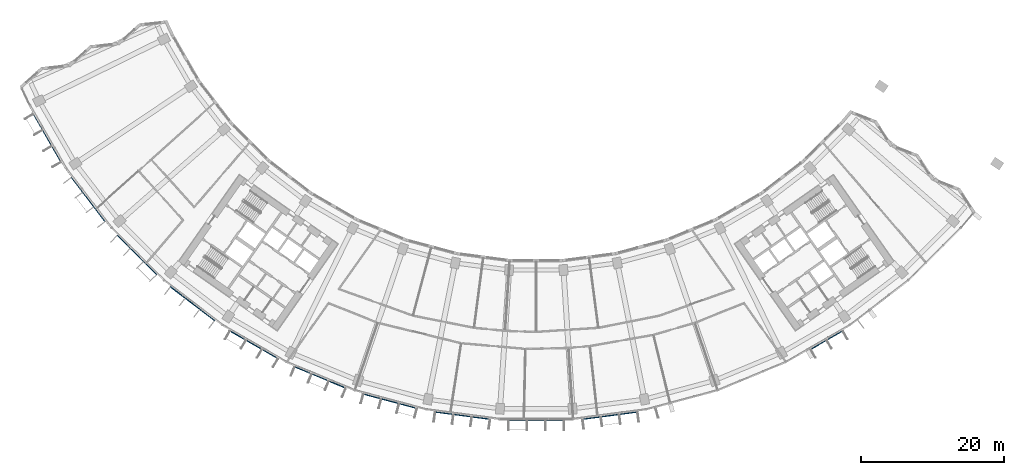
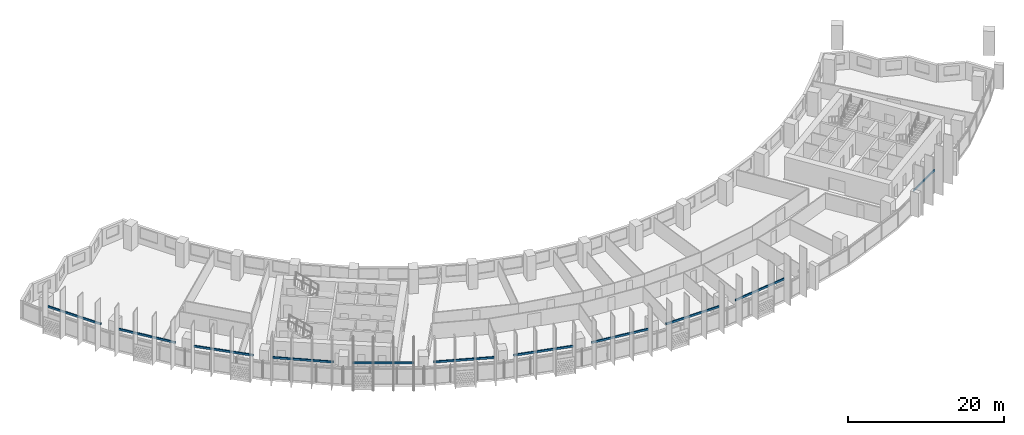
# One storey, part 9 of 30: 11 discrete accessories.
"""IFC4 building model written with IfcOpenShell, lengths in metres."""

from ifc_helpers import new_model, si_unit, direction, frame, origin, origin_2d, place, context, subcontext, project, spatial, rectangle, extrude, material, type_object, element, save


model = new_model("IFC4")

# Units and contexts
model_context = context("Model", 3, precision=1e-05, world=origin(), true_north=direction((0.0, 1.0)))
body_context = subcontext(model_context, "Body", "Model", "MODEL_VIEW")
ifc_project = project(units=[si_unit("LENGTHUNIT", "METRE"), si_unit("AREAUNIT", "SQUARE_METRE"), si_unit("VOLUMEUNIT", "CUBIC_METRE"), si_unit("PLANEANGLEUNIT", "RADIAN"), si_unit("MASSUNIT", "GRAM", prefix="KILO")], contexts=[model_context])

# Site, building, storey
site_placement = place(None, origin())
site = spatial("IfcSite", under=ifc_project, at=site_placement, CompositionType="ELEMENT")
building_placement = place(site_placement, origin())
building = spatial("IfcBuilding", under=site, at=building_placement, Name="Qamariyya Broadcast Tower", CompositionType="ELEMENT")
storey_placement = place(building_placement, frame((0.0, 0.0, 125.300048828125)))
storey = spatial("IfcBuildingStorey", under=building, at=storey_placement, Name="L28", CompositionType="ELEMENT", Elevation=125.300048828125)

# Discrete accessories
ifc_material = material(Name="Stainless steel 316", Category="steel")
discrete_accessory_type = type_object("IfcDiscreteAccessoryType", Name="Slab edge fixing angle, stainless steel", PredefinedType="BRACKET", material=ifc_material)
for number, where, z_axis, x_axis, name in (
    (1, (-68.59375, -39.6025390625, 3.2998046875), (0.0, 0.0, 1.0), (0.5, -0.866025403784, 0.0), "e-br-L28-01-0"),
    (2, (-62.837646484375, -48.217041015625, 3.2998046875), (0.0, 0.0, 1.0), (0.608761429009, -0.793353340291, 0.0), "e-br-L28-02-0"),
    (3, (-56.006591796875, -56.006591796875, 3.2998046875), (0.0, 0.0, 1.0), (0.707106781187, -0.707106781187, 0.0), "e-br-L28-03-0"),
    (4, (-48.217041015625, -62.837646484375, 3.2998046875), (0.0, 0.0, 1.0), (0.793353340291, -0.608761429009, 0.0), "e-br-L28-04-0"),
    (5, (-39.6025390625, -68.59375, 3.2998046875), (0.0, 0.0, 1.0), (0.866025403784, -0.5, 0.0), "e-br-L28-05-0"),
    (6, (-30.310546875, -73.176025390625, 3.2998046875), (0.0, 0.0, 1.0), (0.923879532511, -0.382683432365, 0.0), "e-br-L28-06-0"),
    (7, (-20.499755859375, -76.50634765625, 3.2998046875), (0.0, 0.0, 1.0), (0.965925826289, -0.258819045103, 0.0), "e-br-L28-07-0"),
    (8, (-10.33837890625, -78.527587890625, 3.2998046875), (0.0, 0.0, 1.0), (0.991444861374, -0.13052619222, 0.0), "e-br-L28-08-0"),
    (9, (0.0, -79.205322265625, 3.2998046875), (0.0, 0.0, 1.0), (1.0, 0.0, 0.0), "e-br-L28-09-0"),
    (10, (10.33837890625, -78.527587890625, 3.2998046875), (0.0, 0.0, 1.0), (0.991444861374, 0.13052619222, 0.0), "e-br-L28-10-0"),
):
    element("IfcDiscreteAccessory", number, at=place(storey_placement, frame(where, z_axis=z_axis, x_axis=x_axis)), inside=storey, type_object=discrete_accessory_type, Name=name, PredefinedType="BRACKET", context=body_context, shape_type="SweptSolid", body=[
        extrude(rectangle(XDim=7.879638671875, YDim=0.14990234375, at=origin_2d()), origin(), (0.0, 0.0, 1.0), 0.300048828125),
    ])
discrete_accessory_placement = place(storey_placement, frame((40.7255859375, -67.9453125, 3.2998046875), z_axis=(0.0, 0.0, 1.0), x_axis=(0.866025403784, 0.5, 0.0)))
element("IfcDiscreteAccessory", 11, at=discrete_accessory_placement, inside=storey, type_object=discrete_accessory_type, Name="e-br-L28-13-0", PredefinedType="BRACKET", context=body_context, shape_type="SweptSolid", body=[
    extrude(rectangle(XDim=5.286376953125, YDim=0.14990234375, at=origin_2d()), origin(), (0.0, 0.0, 1.0), 0.300048828125),
])

save(model, "model.ifc")
